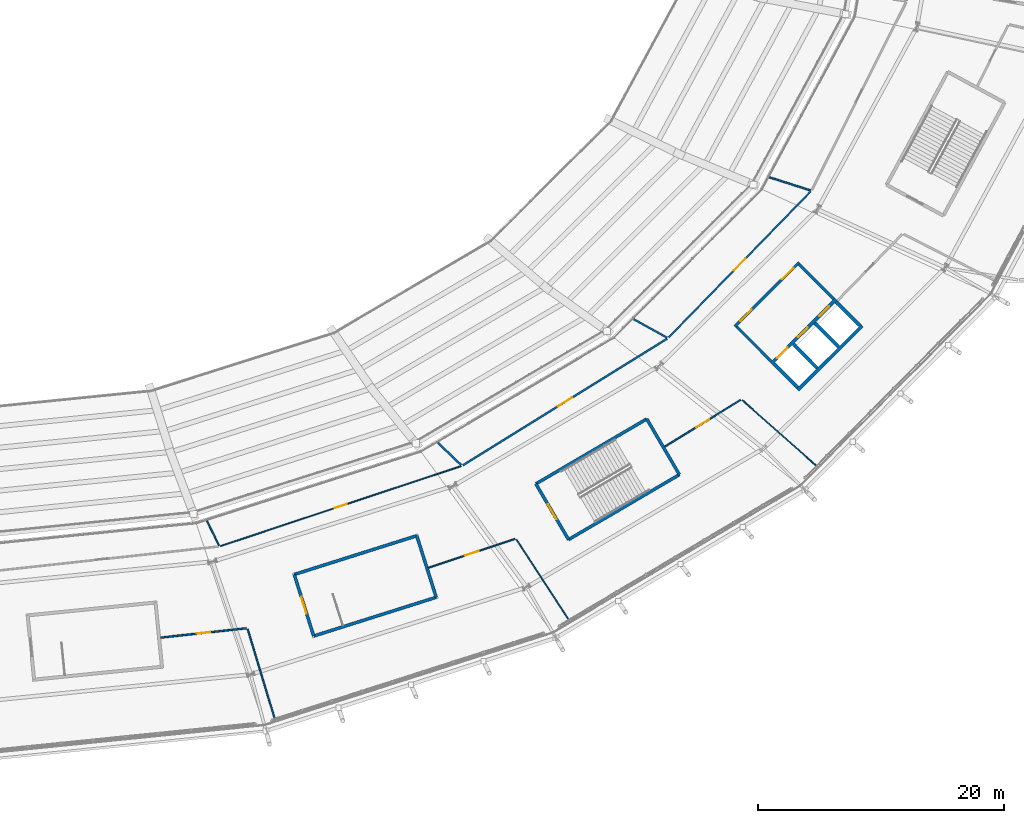
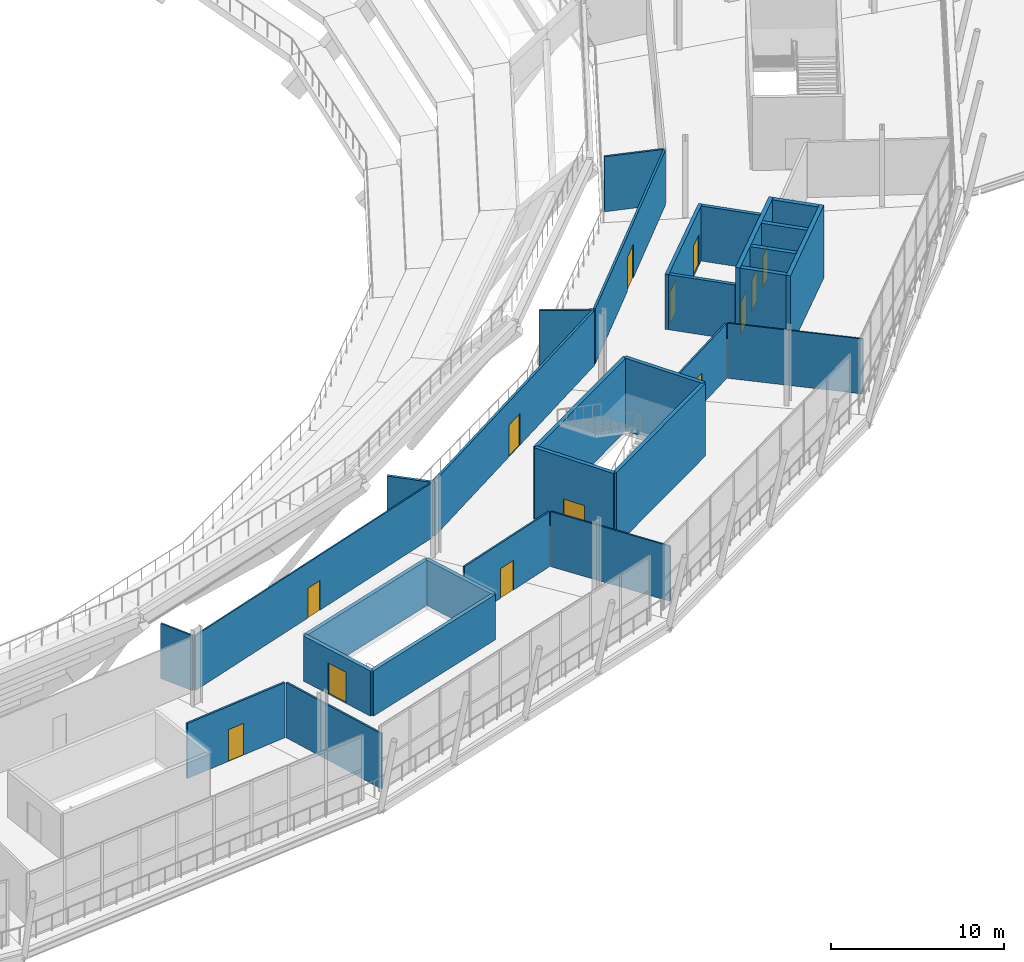
# One storey, part 99 of 126: 30 walls, 13 doors, 13 openings.
"""IFC4 building model written with IfcOpenShell, lengths in metres."""

from ifc_helpers import new_model, si_unit, direction, frame, frame_2d, origin, place, context, subcontext, project, spatial, rectangle, extrude, material, layer, layer_set, type_object, element, fill, save


model = new_model("IFC4")

# Units and contexts
model_context = context("Model", 3, precision=1e-05, world=origin(), true_north=direction((0.0, 1.0)))
body_context = subcontext(model_context, "Body", "Model", "MODEL_VIEW")
ifc_project = project(units=[si_unit("LENGTHUNIT", "METRE"), si_unit("AREAUNIT", "SQUARE_METRE"), si_unit("VOLUMEUNIT", "CUBIC_METRE"), si_unit("PLANEANGLEUNIT", "RADIAN"), si_unit("MASSUNIT", "GRAM", prefix="KILO")], contexts=[model_context])

# Site, building, storey
site_placement = place(None, origin())
site = spatial("IfcSite", under=ifc_project, at=site_placement, CompositionType="ELEMENT")
building_placement = place(site_placement, origin())
building = spatial("IfcBuilding", under=site, at=building_placement, Name="Zlatoyarsky Gate Stadium", CompositionType="ELEMENT")
storey_placement = place(building_placement, frame((0.0, 0.0, 20.800048828125)))
storey = spatial("IfcBuildingStorey", under=building, at=storey_placement, Name="L04", CompositionType="ELEMENT", Elevation=20.800048828125)

# Walls
ifc_material_1 = material(Name="Double-stud acoustic gypsum partition", Category="gypsum")
ifc_layer_1 = layer(ifc_material_1, 0.169921875)
ifc_layer_set_1 = layer_set([ifc_layer_1], Name="Double-stud acoustic gypsum partition")
wall_type_1 = type_object("IfcWallType", Name="ACOUSTIC BROADCAST STUDIO WALL 170", PredefinedType="PARTITIONING", material=ifc_layer_set_1)
wall_1_placement = place(storey_placement, frame((150.286376953125, 30.257080078125, 0.0), z_axis=(0.0, 0.0, 1.0), x_axis=(0.721945546678, -0.691949873641, 0.0)))
element("IfcWall", 1, at=wall_1_placement, inside=storey, type_object=wall_type_1, Name="L04 interior partition PRT-L04-IRD-20", PredefinedType="PARTITIONING", context=body_context, shape_type="SweptSolid", body=[
    extrude(rectangle(XDim=2.620849609375, YDim=0.169921875, at=frame_2d((1.310546875, 0.0))), origin(), (0.0, 0.0, 1.0), 3.889892578125),
])
ifc_material_2 = material(Name="Anodised aluminium acoustic operable wall", Category="aluminium")
ifc_layer_2 = layer(ifc_material_2, 0.114990234375)
ifc_layer_set_2 = layer_set([ifc_layer_2], Name="Anodised aluminium acoustic operable wall")
wall_type_2 = type_object("IfcWallType", Name="ACOUSTIC OPERABLE SUITE WALL 115", PredefinedType="MOVABLE", material=ifc_layer_set_2)
wall_2_placement = place(storey_placement, frame((131.5078125, 23.902587890625, 0.0), z_axis=(0.0, 0.0, 1.0), x_axis=(0.436389677302, -0.899757772706, 0.0)))
element("IfcWall", 2, at=wall_2_placement, inside=storey, type_object=wall_type_2, Name="L04 interior partition PRT-L04-IRD-19", PredefinedType="MOVABLE", context=body_context, shape_type="SweptSolid", body=[
    extrude(rectangle(XDim=2.217041015625, YDim=0.114990234375, at=frame_2d((1.1083984375, 0.0))), origin(), (0.0, 0.0, 1.0), 3.889892578125),
])

# Wall, opening, door
wall_3_placement = place(storey_placement, frame((168.740966796875, 29.944580078125, 0.0), z_axis=(0.0, 0.0, 1.0), x_axis=(0.850883722478, 0.525354062344, 0.0)))
wall_3 = element("IfcWall", 3, at=wall_3_placement, inside=storey, type_object=wall_type_2, Name="L04 interior partition PRT-L04-OCC-20-1", PredefinedType="MOVABLE", context=body_context, shape_type="SweptSolid", body=[
    extrude(rectangle(XDim=7.226806640625, YDim=0.114990234375, at=frame_2d((3.61328125, 0.0))), origin(), (0.0, 0.0, 1.0), 3.889892578125),
])
opening_1_placement = place(wall_3_placement, frame((2.993408203125, 0.0, 0.0)))
opening_1 = element("IfcOpeningElement", 4, at=opening_1_placement, cuts=wall_3, Name="Opening D-L04-598", PredefinedType="OPENING", context=body_context, shape_type="SweptSolid", body=[
    extrude(rectangle(XDim=1.239990234375, YDim=2.239990234375, at=frame_2d((0.6201171875, 1.1201171875))), frame((0.0, 0.0673828125, 0.0), z_axis=(0.0, -1.0, 0.0), x_axis=(1.0, 0.0, 0.0)), (0.0, 0.0, 1.0), 0.135009765625),
])
ifc_material_3 = material(Name="Solid-core oak veneer acoustic door", Category="wood")
door_type_1 = type_object("IfcDoorType", Name="ACOUSTIC INTERIOR DOOR 1240X2240", OperationType="NOTDEFINED", PredefinedType="DOOR", material=ifc_material_3)
door_1_placement = place(opening_1_placement, origin())
door_1 = element("IfcDoor", 5, at=door_1_placement, inside=storey, type_object=door_type_1, Name="L04 room door D-L04-598", OperationType="SINGLE_SWING_RIGHT", OverallHeight=2.239990234375, OverallWidth=1.239990234375, PredefinedType="DOOR", context=body_context, shape_type="SweptSolid", body=[
    extrude(rectangle(XDim=1.239990234375, YDim=2.239990234375, at=frame_2d((0.6201171875, 1.1201171875))), frame((0.0, 0.02490234375, 0.0), z_axis=(0.0, -1.0, 0.0), x_axis=(1.0, 0.0, 0.0)), (0.0, 0.0, 1.0), 0.050048828125),
])
fill(opening_1, door_1)

ifc_material_4 = material(Name="Moisture-resistant masonry partition", Category="masonry")
ifc_layer_3 = layer(ifc_material_4, 0.139892578125)
ifc_layer_set_3 = layer_set([ifc_layer_3], Name="Moisture-resistant masonry partition")
wall_type_3 = type_object("IfcWallType", Name="ATHLETE CHANGING BLOCK PARTITION 140", PredefinedType="PARTITIONING", material=ifc_layer_set_3)
wall_4_placement = place(storey_placement, frame((169.051513671875, 38.8271484375, 0.0), z_axis=(0.0, 0.0, 1.0), x_axis=(0.697325898105, 0.716754206009, 0.0)))
wall_4 = element("IfcWall", 6, at=wall_4_placement, inside=storey, type_object=wall_type_3, Name="L04 interior partition PRT-L04-ICC-21", PredefinedType="PARTITIONING", context=body_context, shape_type="SweptSolid", body=[
    extrude(rectangle(XDim=16.562255859375, YDim=0.139892578125, at=frame_2d((8.28125, 0.0))), origin(), (0.0, 0.0, 1.0), 3.889892578125),
])
opening_2_placement = place(wall_4_placement, frame((7.611083984375, 0.0, 0.0)))
opening_2 = element("IfcOpeningElement", 7, at=opening_2_placement, cuts=wall_4, Name="Opening D-L04-553", PredefinedType="OPENING", context=body_context, shape_type="SweptSolid", body=[
    extrude(rectangle(XDim=1.340087890625, YDim=2.3798828125, at=frame_2d((0.669921875, 1.18994140625))), frame((0.0, 0.079833984375, 0.0), z_axis=(0.0, -1.0, 0.0), x_axis=(1.0, 0.0, 0.0)), (0.0, 0.0, 1.0), 0.159912109375),
])
ifc_material_5 = material(Name="Powder-coated steel fire door", Category="steel")
door_type_2 = type_object("IfcDoorType", Name="ACOUSTIC INTERIOR DOOR 1340X2380", OperationType="NOTDEFINED", PredefinedType="DOOR", material=ifc_material_5)
door_2_placement = place(opening_2_placement, origin())
door_2 = element("IfcDoor", 8, at=door_2_placement, inside=storey, type_object=door_type_2, Name="L04 room door D-L04-553", OperationType="SINGLE_SWING_RIGHT", OverallHeight=2.3798828125, OverallWidth=1.340087890625, PredefinedType="DOOR", context=body_context, shape_type="SweptSolid", body=[
    extrude(rectangle(XDim=1.340087890625, YDim=2.3798828125, at=frame_2d((0.669921875, 1.18994140625))), frame((0.0, 0.02490234375, 0.0), z_axis=(0.0, -1.0, 0.0), x_axis=(1.0, 0.0, 0.0)), (0.0, 0.0, 1.0), 0.050048828125),
])
fill(opening_2, door_2)

# Walls
ifc_material_6 = material(Name="Metal-stud gypsum partition", Category="gypsum")
ifc_layer_4 = layer(ifc_material_6, 0.14990234375)
ifc_layer_set_4 = layer_set([ifc_layer_4], Name="Metal-stud gypsum partition")
wall_type_4 = type_object("IfcWallType", Name="CONCOURSE CORRIDOR PARTITION 150", PredefinedType="PARTITIONING", material=ifc_layer_set_4)
wall_5_placement = place(storey_placement, frame((166.212890625, 40.305908203125, 0.0), z_axis=(0.0, 0.0, 1.0), x_axis=(0.874726480767, -0.484616945478, 0.0)))
element("IfcWall", 9, at=wall_5_placement, inside=storey, type_object=wall_type_4, Name="L04 interior partition PRT-L04-IRD-21", PredefinedType="PARTITIONING", context=body_context, shape_type="SweptSolid", body=[
    extrude(rectangle(XDim=3.09228515625, YDim=0.14990234375, at=frame_2d((1.546142578125, 0.0))), origin(), (0.0, 0.0, 1.0), 3.889892578125),
])
ifc_material_7 = material(Name="Concrete C40/50", Category="concrete")
ifc_layer_5 = layer(ifc_material_7, 0.27001953125)
ifc_layer_set_5 = layer_set([ifc_layer_5], Name="Concrete C40/50")
wall_type_5 = type_object("IfcWallType", Name="CONCRETE LIFT SHAFT SHEAR WALL 270", PredefinedType="SHEAR", material=ifc_layer_set_5)
wall_6_placement = place(storey_placement, frame((179.547119140625, 34.556396484375, 0.0), z_axis=(0.0, 0.0, 1.0), x_axis=(0.708902567846, 0.705306422274, 0.0)))
element("IfcWall", 10, at=wall_6_placement, inside=storey, type_object=wall_type_5, Name="C4 L04 lift shaft rear wall", PredefinedType="SHEAR", context=body_context, shape_type="SweptSolid", body=[
    extrude(rectangle(XDim=7.39990234375, YDim=0.27001953125, at=frame_2d((3.699951171875, 0.0))), origin(), (0.0, 0.0, 1.0), 5.139892578125),
])
for number, where, z_axis, x_axis, name in (
    (11, (179.54052734375, 34.75439453125, 0.0), (0.0, 0.0, 1.0), (-0.705322518225, 0.708886553183, 0.0), "C4 L04 lift shaft left wall"),
    (12, (184.594970703125, 39.783203125, 0.0), (0.0, 0.0, 1.0), (-0.705322518225, 0.708886553183, 0.0), "C4 L04 lift shaft right wall"),
    (13, (181.12841796875, 36.334228515625, 0.0), (0.0, 0.0, 1.0), (-0.705322518225, 0.708886553183, 0.0), "C4 L04 lift shaft divider 1"),
    (14, (182.865234375, 38.062255859375, 0.0), (0.0, 0.0, 1.0), (-0.705322518225, 0.708886553183, 0.0), "C4 L04 lift shaft divider 2"),
):
    element("IfcWall", number, at=place(storey_placement, frame(where, z_axis=z_axis, x_axis=x_axis)), inside=storey, type_object=wall_type_5, Name=name, PredefinedType="SHEAR", context=body_context, shape_type="SweptSolid", body=[
        extrude(rectangle(XDim=2.739990234375, YDim=0.27001953125, at=frame_2d((1.3701171875, 0.0))), origin(), (0.0, 0.0, 1.0), 5.139892578125),
    ])

# Wall, openings, doors
wall_7_placement = place(storey_placement, frame((177.409912109375, 36.704345703125, 0.0), z_axis=(0.0, 0.0, 1.0), x_axis=(0.708918979457, 0.705289926602, 0.0)))
wall_7 = element("IfcWall", 15, at=wall_7_placement, inside=storey, type_object=wall_type_5, Name="C4 L04 lift landing front wall", PredefinedType="SHEAR", context=body_context, shape_type="SweptSolid", body=[
    extrude(rectangle(XDim=7.400146484375, YDim=0.27001953125, at=frame_2d((3.7001953125, 0.0))), origin(), (0.0, 0.0, 1.0), 5.139892578125),
])
opening_3_placement = place(wall_7_placement, frame((0.64990234375, 0.0, 0.0)))
opening_3 = element("IfcOpeningElement", 16, at=opening_3_placement, cuts=wall_7, Name="Opening LD-FL-04-L04", PredefinedType="OPENING", context=body_context, shape_type="SweptSolid", body=[
    extrude(rectangle(XDim=1.199951171875, YDim=2.25, at=frame_2d((0.60009765625, 1.125))), frame((0.0, 0.14501953125, 0.0), z_axis=(0.0, -1.0, 0.0), x_axis=(1.0, 0.0, 0.0)), (0.0, 0.0, 1.0), 0.2900390625),
])
opening_4_placement = place(wall_7_placement, frame((3.050048828125, 0.0, 0.0)))
opening_4 = element("IfcOpeningElement", 17, at=opening_4_placement, cuts=wall_7, Name="Opening LD-LF-07-L04", PredefinedType="OPENING", context=body_context, shape_type="SweptSolid", body=[
    extrude(rectangle(XDim=1.10009765625, YDim=2.199951171875, at=frame_2d((0.550048828125, 1.10009765625))), frame((0.0, 0.14501953125, 0.0), z_axis=(0.0, -1.0, 0.0), x_axis=(1.0, 0.0, 0.0)), (0.0, 0.0, 1.0), 0.2900390625),
])
opening_5_placement = place(wall_7_placement, frame((5.5, 0.0, 0.0)))
opening_5 = element("IfcOpeningElement", 18, at=opening_5_placement, cuts=wall_7, Name="Opening LD-LF-08-L04", PredefinedType="OPENING", context=body_context, shape_type="SweptSolid", body=[
    extrude(rectangle(XDim=1.10009765625, YDim=2.199951171875, at=frame_2d((0.550048828125, 1.10009765625))), frame((0.0, 0.14501953125, 0.0), z_axis=(0.0, -1.0, 0.0), x_axis=(1.0, 0.0, 0.0)), (0.0, 0.0, 1.0), 0.2900390625),
])
door_type_3 = type_object("IfcDoorType", Name="STAINLESS LIFT LANDING SLIDING DOOR 1100X2200", OperationType="DOUBLE_DOOR_SLIDING", PredefinedType="DOOR", material=ifc_material_5)
door_3_placement = place(opening_4_placement, origin())
door_3 = element("IfcDoor", 19, at=door_3_placement, inside=storey, type_object=door_type_3, Name="Lift LF-07 L04 sliding landing door", OperationType="DOUBLE_DOOR_SLIDING", OverallHeight=2.199951171875, OverallWidth=1.10009765625, PredefinedType="DOOR", context=body_context, shape_type="SweptSolid", body=[
    extrude(rectangle(XDim=1.10009765625, YDim=2.199951171875, at=frame_2d((0.550048828125, 1.10009765625))), frame((0.0, 0.02490234375, 0.0), z_axis=(0.0, -1.0, 0.0), x_axis=(1.0, 0.0, 0.0)), (0.0, 0.0, 1.0), 0.050048828125),
])
fill(opening_4, door_3)
door_4_placement = place(opening_5_placement, origin())
door_4 = element("IfcDoor", 20, at=door_4_placement, inside=storey, type_object=door_type_3, Name="Lift LF-08 L04 sliding landing door", OperationType="DOUBLE_DOOR_SLIDING", OverallHeight=2.199951171875, OverallWidth=1.10009765625, PredefinedType="DOOR", context=body_context, shape_type="SweptSolid", body=[
    extrude(rectangle(XDim=1.10009765625, YDim=2.199951171875, at=frame_2d((0.550048828125, 1.10009765625))), frame((0.0, 0.02490234375, 0.0), z_axis=(0.0, -1.0, 0.0), x_axis=(1.0, 0.0, 0.0)), (0.0, 0.0, 1.0), 0.050048828125),
])
fill(opening_5, door_4)
door_type_4 = type_object("IfcDoorType", Name="STAINLESS LIFT LANDING SLIDING DOOR 1200X2250", OperationType="DOUBLE_DOOR_SLIDING", PredefinedType="DOOR", material=ifc_material_5)
door_5_placement = place(opening_3_placement, origin())
door_5 = element("IfcDoor", 21, at=door_5_placement, inside=storey, type_object=door_type_4, Name="Lift FL-04 L04 sliding landing door", OperationType="DOUBLE_DOOR_SLIDING", OverallHeight=2.25, OverallWidth=1.199951171875, PredefinedType="DOOR", context=body_context, shape_type="SweptSolid", body=[
    extrude(rectangle(XDim=1.199951171875, YDim=2.25, at=frame_2d((0.60009765625, 1.125))), frame((0.0, 0.02490234375, 0.0), z_axis=(0.0, -1.0, 0.0), x_axis=(1.0, 0.0, 0.0)), (0.0, 0.0, 1.0), 0.050048828125),
])
fill(opening_3, door_5)

# Wall, opening, door
ifc_layer_6 = layer(ifc_material_7, 0.25)
ifc_layer_set_6 = layer_set([ifc_layer_6], Name="Concrete C40/50")
wall_type_6 = type_object("IfcWallType", Name="CONCRETE STAIR CORE SHEAR WALL 250", PredefinedType="SHEAR", material=ifc_layer_set_6)
wall_8_placement = place(storey_placement, frame((158.25341796875, 26.916015625, 0.0), z_axis=(0.0, 0.0, 1.0), x_axis=(0.505460490551, -0.862849750821, 0.0)))
wall_8 = element("IfcWall", 22, at=wall_8_placement, inside=storey, type_object=wall_type_6, Name="ST-11 L04 stair core entrance shear wall", PredefinedType="SHEAR", context=body_context, shape_type="SweptSolid", body=[
    extrude(rectangle(XDim=5.249755859375, YDim=0.25, at=frame_2d((2.625, 0.0))), origin(), (0.0, 0.0, 1.0), 5.139892578125),
])
opening_6_placement = place(wall_8_placement, frame((1.925048828125, 0.0, 0.0)))
opening_6 = element("IfcOpeningElement", 23, at=opening_6_placement, cuts=wall_8, Name="Opening SD-ST-11-L04", PredefinedType="OPENING", context=body_context, shape_type="SweptSolid", body=[
    extrude(rectangle(XDim=1.39990234375, YDim=2.199951171875, at=frame_2d((0.699951171875, 1.10009765625))), frame((0.0, 0.135009765625, 0.0), z_axis=(0.0, -1.0, 0.0), x_axis=(1.0, 0.0, 0.0)), (0.0, 0.0, 1.0), 0.27001953125),
])
door_type_5 = type_object("IfcDoorType", Name="STAIR CORE FIRE EXIT DOOR 1400X2200", OperationType="NOTDEFINED", PredefinedType="DOOR", material=ifc_material_5)
door_6_placement = place(opening_6_placement, frame((1.39990234375, 0.0, 0.0), z_axis=(0.0, 0.0, 1.0), x_axis=(-1.0, 0.0, 0.0)))
door_6 = element("IfcDoor", 24, at=door_6_placement, inside=storey, type_object=door_type_5, Name="ST-11 L04 stair fire door", OperationType="SINGLE_SWING_RIGHT", OverallHeight=2.199951171875, OverallWidth=1.39990234375, PredefinedType="DOOR", context=body_context, shape_type="SweptSolid", body=[
    extrude(rectangle(XDim=1.39990234375, YDim=2.199951171875, at=frame_2d((0.699951171875, 1.10009765625))), frame((0.0, 0.02490234375, 0.0), z_axis=(0.0, -1.0, 0.0), x_axis=(1.0, 0.0, 0.0)), (0.0, 0.0, 1.0), 0.050048828125),
])
fill(opening_6, door_6)

# Walls
wall_9_placement = place(storey_placement, frame((160.906982421875, 22.38623046875, 0.0), z_axis=(0.0, 0.0, 1.0), x_axis=(0.862854686184, 0.505452065513, 0.0)))
element("IfcWall", 25, at=wall_9_placement, inside=storey, type_object=wall_type_6, Name="ST-11 L04 stair core left shear wall", PredefinedType="SHEAR", context=body_context, shape_type="SweptSolid", body=[
    extrude(rectangle(XDim=10.449951171875, YDim=0.25, at=frame_2d((5.22509765625, 0.0))), origin(), (0.0, 0.0, 1.0), 5.139892578125),
])
wall_10_placement = place(storey_placement, frame((169.923828125, 27.668212890625, 0.0), z_axis=(0.0, 0.0, 1.0), x_axis=(-0.505474830399, 0.862841350327, 0.0)))
element("IfcWall", 26, at=wall_10_placement, inside=storey, type_object=wall_type_6, Name="ST-11 L04 stair core far shear wall", PredefinedType="SHEAR", context=body_context, shape_type="SweptSolid", body=[
    extrude(rectangle(XDim=5.250244140625, YDim=0.25, at=frame_2d((2.625, 0.0))), origin(), (0.0, 0.0, 1.0), 5.139892578125),
])
wall_11_placement = place(storey_placement, frame((167.27001953125, 32.1982421875, 0.0), z_axis=(0.0, 0.0, 1.0), x_axis=(-0.862838527648, -0.505479648657, 0.0)))
element("IfcWall", 27, at=wall_11_placement, inside=storey, type_object=wall_type_6, Name="ST-11 L04 stair core right shear wall", PredefinedType="SHEAR", context=body_context, shape_type="SweptSolid", body=[
    extrude(rectangle(XDim=10.449951171875, YDim=0.25, at=frame_2d((5.22509765625, 0.0))), origin(), (0.0, 0.0, 1.0), 5.139892578125),
])

# Wall, opening, door
wall_12_placement = place(storey_placement, frame((138.599609375, 19.5478515625, 0.0), z_axis=(0.0, 0.0, 1.0), x_axis=(0.30152749866, -0.953457480726, 0.0)))
wall_12 = element("IfcWall", 28, at=wall_12_placement, inside=storey, type_object=wall_type_6, Name="ST-16 L04 stair core entrance shear wall", PredefinedType="SHEAR", context=body_context, shape_type="SweptSolid", body=[
    extrude(rectangle(XDim=5.25, YDim=0.25, at=frame_2d((2.625, 0.0))), origin(), (0.0, 0.0, 1.0), 3.199951171875),
])
opening_7_placement = place(wall_12_placement, frame((1.925048828125, 0.0, 0.0)))
opening_7 = element("IfcOpeningElement", 29, at=opening_7_placement, cuts=wall_12, Name="Opening SD-ST-16-L04", PredefinedType="OPENING", context=body_context, shape_type="SweptSolid", body=[
    extrude(rectangle(XDim=1.39990234375, YDim=2.199951171875, at=frame_2d((0.699951171875, 1.10009765625))), frame((0.0, 0.135009765625, 0.0), z_axis=(0.0, -1.0, 0.0), x_axis=(1.0, 0.0, 0.0)), (0.0, 0.0, 1.0), 0.27001953125),
])
door_7_placement = place(opening_7_placement, frame((1.39990234375, 0.0, 0.0), z_axis=(0.0, 0.0, 1.0), x_axis=(-1.0, 0.0, 0.0)))
door_7 = element("IfcDoor", 30, at=door_7_placement, inside=storey, type_object=door_type_5, Name="ST-16 L04 stair fire door", OperationType="SINGLE_SWING_RIGHT", OverallHeight=2.199951171875, OverallWidth=1.39990234375, PredefinedType="DOOR", context=body_context, shape_type="SweptSolid", body=[
    extrude(rectangle(XDim=1.39990234375, YDim=2.199951171875, at=frame_2d((0.699951171875, 1.10009765625))), frame((0.0, 0.02490234375, 0.0), z_axis=(0.0, -1.0, 0.0), x_axis=(1.0, 0.0, 0.0)), (0.0, 0.0, 1.0), 0.050048828125),
])
fill(opening_7, door_7)

# Walls
wall_13_placement = place(storey_placement, frame((140.1826171875, 14.542236328125, 0.0), z_axis=(0.0, 0.0, 1.0), x_axis=(0.953459710305, 0.301520448438, 0.0)))
element("IfcWall", 31, at=wall_13_placement, inside=storey, type_object=wall_type_6, Name="ST-16 L04 stair core left shear wall", PredefinedType="SHEAR", context=body_context, shape_type="SweptSolid", body=[
    extrude(rectangle(XDim=10.449951171875, YDim=0.25, at=frame_2d((5.22509765625, 0.0))), origin(), (0.0, 0.0, 1.0), 3.199951171875),
])
wall_14_placement = place(storey_placement, frame((150.146240234375, 17.693115234375, 0.0), z_axis=(0.0, 0.0, 1.0), x_axis=(-0.30152749866, 0.953457480726, 0.0)))
element("IfcWall", 32, at=wall_14_placement, inside=storey, type_object=wall_type_6, Name="ST-16 L04 stair core far shear wall", PredefinedType="SHEAR", context=body_context, shape_type="SweptSolid", body=[
    extrude(rectangle(XDim=5.25, YDim=0.25, at=frame_2d((2.625, 0.0))), origin(), (0.0, 0.0, 1.0), 3.199951171875),
])
wall_15_placement = place(storey_placement, frame((148.563232421875, 22.69873046875, 0.0), z_axis=(0.0, 0.0, 1.0), x_axis=(-0.953459710305, -0.301520448438, 0.0)))
element("IfcWall", 33, at=wall_15_placement, inside=storey, type_object=wall_type_6, Name="ST-16 L04 stair core right shear wall", PredefinedType="SHEAR", context=body_context, shape_type="SweptSolid", body=[
    extrude(rectangle(XDim=10.449951171875, YDim=0.25, at=frame_2d((5.22509765625, 0.0))), origin(), (0.0, 0.0, 1.0), 3.199951171875),
])
ifc_material_8 = material(Name="Autoclaved aerated concrete masonry EI 120", Category="masonry")
ifc_layer_7 = layer(ifc_material_8, 0.219970703125)
ifc_layer_set_7 = layer_set([ifc_layer_7], Name="Autoclaved aerated concrete masonry EI 120")
wall_type_7 = type_object("IfcWallType", Name="FIREFIGHTING LOBBY RATED WALL 220", PredefinedType="PARTITIONING", material=ifc_layer_set_7)
for number, where, z_axis, x_axis, name in (
    (34, (177.378662109375, 36.8916015625, 0.0), (0.0, 0.0, 1.0), (-0.705294916294, 0.708914015273, 0.0), "C4 L04 firefighting lobby left wall"),
    (35, (182.468505859375, 41.955810546875, 0.0), (0.0, 0.0, 1.0), (-0.705294916294, 0.708914015273, 0.0), "C4 L04 firefighting lobby right wall"),
):
    element("IfcWall", number, at=place(storey_placement, frame(where, z_axis=z_axis, x_axis=x_axis)), inside=storey, type_object=wall_type_7, Name=name, PredefinedType="PARTITIONING", context=body_context, shape_type="SweptSolid", body=[
        extrude(rectangle(XDim=3.97998046875, YDim=0.219970703125, at=frame_2d((1.989990234375, 0.0))), origin(), (0.0, 0.0, 1.0), 3.889892578125),
    ])

# Wall, openings, doors
wall_16_placement = place(storey_placement, frame((174.416015625, 39.713623046875, 0.0), z_axis=(0.0, 0.0, 1.0), x_axis=(0.708902567846, 0.705306422274, 0.0)))
wall_16 = element("IfcWall", 36, at=wall_16_placement, inside=storey, type_object=wall_type_7, Name="C4 L04 firefighting lobby front wall", PredefinedType="PARTITIONING", context=body_context, shape_type="SweptSolid", body=[
    extrude(rectangle(XDim=7.39990234375, YDim=0.219970703125, at=frame_2d((3.699951171875, 0.0))), origin(), (0.0, 0.0, 1.0), 3.889892578125),
])
opening_8_placement = place(wall_16_placement, frame((0.64990234375, 0.0, 0.0)))
opening_8 = element("IfcOpeningElement", 37, at=opening_8_placement, cuts=wall_16, Name="Opening FD-C4-L04-A", PredefinedType="OPENING", context=body_context, shape_type="SweptSolid", body=[
    extrude(rectangle(XDim=1.300048828125, YDim=2.199951171875, at=frame_2d((0.64990234375, 1.10009765625))), frame((0.0, 0.119873046875, 0.0), z_axis=(0.0, -1.0, 0.0), x_axis=(1.0, 0.0, 0.0)), (0.0, 0.0, 1.0), 0.239990234375),
])
opening_9_placement = place(wall_16_placement, frame((5.449951171875, 0.0, 0.0)))
opening_9 = element("IfcOpeningElement", 38, at=opening_9_placement, cuts=wall_16, Name="Opening FD-C4-L04-B", PredefinedType="OPENING", context=body_context, shape_type="SweptSolid", body=[
    extrude(rectangle(XDim=1.300048828125, YDim=2.199951171875, at=frame_2d((0.64990234375, 1.10009765625))), frame((0.0, 0.119873046875, 0.0), z_axis=(0.0, -1.0, 0.0), x_axis=(1.0, 0.0, 0.0)), (0.0, 0.0, 1.0), 0.239990234375),
])
door_type_6 = type_object("IfcDoorType", Name="FIREFIGHTING LOBBY FIRE DOOR 1300X2200", OperationType="NOTDEFINED", PredefinedType="DOOR", material=ifc_material_5)
door_8_placement = place(opening_8_placement, origin())
door_8 = element("IfcDoor", 39, at=door_8_placement, inside=storey, type_object=door_type_6, Name="C4 L04 firefighting lobby fire door FD-C4-L04-A", OperationType="SINGLE_SWING_LEFT", OverallHeight=2.199951171875, OverallWidth=1.300048828125, PredefinedType="DOOR", context=body_context, shape_type="SweptSolid", body=[
    extrude(rectangle(XDim=1.300048828125, YDim=2.199951171875, at=frame_2d((0.64990234375, 1.10009765625))), frame((0.0, 0.02490234375, 0.0), z_axis=(0.0, -1.0, 0.0), x_axis=(1.0, 0.0, 0.0)), (0.0, 0.0, 1.0), 0.050048828125),
])
fill(opening_8, door_8)
door_9_placement = place(opening_9_placement, origin())
door_9 = element("IfcDoor", 40, at=door_9_placement, inside=storey, type_object=door_type_6, Name="C4 L04 firefighting lobby fire door FD-C4-L04-B", OperationType="SINGLE_SWING_RIGHT", OverallHeight=2.199951171875, OverallWidth=1.300048828125, PredefinedType="DOOR", context=body_context, shape_type="SweptSolid", body=[
    extrude(rectangle(XDim=1.300048828125, YDim=2.199951171875, at=frame_2d((0.64990234375, 1.10009765625))), frame((0.0, 0.02490234375, 0.0), z_axis=(0.0, -1.0, 0.0), x_axis=(1.0, 0.0, 0.0)), (0.0, 0.0, 1.0), 0.050048828125),
])
fill(opening_9, door_9)

# Wall, opening, door
ifc_material_9 = material(Name="Timber-veneered acoustic operable partition", Category="wood")
ifc_layer_8 = layer(ifc_material_9, 0.094970703125)
ifc_layer_set_8 = layer_set([ifc_layer_8], Name="Timber-veneered acoustic operable partition")
wall_type_8 = type_object("IfcWallType", Name="FOLDING BANQUET SALON WALL 95", PredefinedType="MOVABLE", material=ifc_layer_set_8)
wall_17_placement = place(storey_placement, frame((132.59326171875, 21.85791015625, 0.0), z_axis=(0.0, 0.0, 1.0), x_axis=(0.948998991107, 0.315279106314, 0.0)))
wall_17 = element("IfcWall", 41, at=wall_17_placement, inside=storey, type_object=wall_type_8, Name="L04 interior partition PRT-L04-ICC-19", PredefinedType="MOVABLE", context=body_context, shape_type="SweptSolid", body=[
    extrude(rectangle(XDim=20.617431640625, YDim=0.094970703125, at=frame_2d((10.30859375, 0.0))), origin(), (0.0, 0.0, 1.0), 3.889892578125),
])
opening_10_placement = place(wall_17_placement, frame((9.798583984375, 0.0, 0.0)))
opening_10 = element("IfcOpeningElement", 42, at=opening_10_placement, cuts=wall_17, Name="Opening D-L04-549", PredefinedType="OPENING", context=body_context, shape_type="SweptSolid", body=[
    extrude(rectangle(XDim=1.02001953125, YDim=2.10009765625, at=frame_2d((0.510009765625, 1.050048828125))), frame((0.0, 0.057373046875, 0.0), z_axis=(0.0, -1.0, 0.0), x_axis=(1.0, 0.0, 0.0)), (0.0, 0.0, 1.0), 0.114990234375),
])
door_type_7 = type_object("IfcDoorType", Name="ACOUSTIC INTERIOR DOOR 1020X2100", OperationType="NOTDEFINED", PredefinedType="DOOR", material=ifc_material_3)
door_10_placement = place(opening_10_placement, origin())
door_10 = element("IfcDoor", 43, at=door_10_placement, inside=storey, type_object=door_type_7, Name="L04 room door D-L04-549", OperationType="SINGLE_SWING_RIGHT", OverallHeight=2.10009765625, OverallWidth=1.02001953125, PredefinedType="DOOR", context=body_context, shape_type="SweptSolid", body=[
    extrude(rectangle(XDim=1.02001953125, YDim=2.10009765625, at=frame_2d((0.510009765625, 1.050048828125))), frame((0.0, 0.02490234375, 0.0), z_axis=(0.0, -1.0, 0.0), x_axis=(1.0, 0.0, 0.0)), (0.0, 0.0, 1.0), 0.050048828125),
])
fill(opening_10, door_10)

# Wall
wall_18_placement = place(storey_placement, frame((175.026123046875, 33.7294921875, 0.0), z_axis=(0.0, 0.0, 1.0), x_axis=(0.749053641694, -0.662509352285, 0.0)))
element("IfcWall", 44, at=wall_18_placement, inside=storey, type_object=wall_type_8, Name="L04 interior partition PRT-L04-ORD-20R", PredefinedType="MOVABLE", context=body_context, shape_type="SweptSolid", body=[
    extrude(rectangle(XDim=8.000244140625, YDim=0.094970703125, at=frame_2d((4.0, 0.0))), origin(), (0.0, 0.0, 1.0), 3.889892578125),
])

# Wall, opening, door
ifc_material_10 = material(Name="Acoustic metal-stud gypsum partition", Category="gypsum")
ifc_layer_9 = layer(ifc_material_10, 0.159912109375)
ifc_layer_set_9 = layer_set([ifc_layer_9], Name="Acoustic metal-stud gypsum partition")
wall_type_9 = type_object("IfcWallType", Name="HOSPITALITY SUITE PARTITION 160", PredefinedType="PARTITIONING", material=ifc_layer_set_9)
wall_19_placement = place(storey_placement, frame((152.31201171875, 28.4296875, 0.0), z_axis=(0.0, 0.0, 1.0), x_axis=(0.85002085977, 0.526749027484, 0.0)))
wall_19 = element("IfcWall", 45, at=wall_19_placement, inside=storey, type_object=wall_type_9, Name="L04 vomitory portal wall PRT-L04-ICC-20", PredefinedType="PARTITIONING", context=body_context, shape_type="SweptSolid", body=[
    extrude(rectangle(XDim=19.538330078125, YDim=0.159912109375, at=frame_2d((9.76904296875, 0.0))), origin(), (0.0, 0.0, 1.0), 3.889892578125),
])
opening_11_placement = place(wall_19_placement, frame((9.09912109375, 0.0, 0.0)))
opening_11 = element("IfcOpeningElement", 46, at=opening_11_placement, cuts=wall_19, Name="Opening D-L04-551", PredefinedType="OPENING", context=body_context, shape_type="SweptSolid", body=[
    extrude(rectangle(XDim=1.340087890625, YDim=2.239990234375, at=frame_2d((0.669921875, 1.1201171875))), frame((0.0, 0.08984375, 0.0), z_axis=(0.0, -1.0, 0.0), x_axis=(1.0, 0.0, 0.0)), (0.0, 0.0, 1.0), 0.179931640625),
])
door_type_8 = type_object("IfcDoorType", Name="ACOUSTIC INTERIOR DOOR 1340X2240", OperationType="NOTDEFINED", PredefinedType="DOOR", material=ifc_material_5)
door_11_placement = place(opening_11_placement, origin())
door_11 = element("IfcDoor", 47, at=door_11_placement, inside=storey, type_object=door_type_8, Name="L04 vomitory portal door D-L04-551", OperationType="SINGLE_SWING_LEFT", OverallHeight=2.239990234375, OverallWidth=1.340087890625, PredefinedType="DOOR", context=body_context, shape_type="SweptSolid", body=[
    extrude(rectangle(XDim=1.340087890625, YDim=2.239990234375, at=frame_2d((0.669921875, 1.1201171875))), frame((0.0, 0.02490234375, 0.0), z_axis=(0.0, -1.0, 0.0), x_axis=(1.0, 0.0, 0.0)), (0.0, 0.0, 1.0), 0.050048828125),
])
fill(opening_11, door_11)

ifc_layer_10 = layer(ifc_material_6, 0.110107421875)
ifc_layer_set_10 = layer_set([ifc_layer_10], Name="Metal-stud gypsum partition")
wall_type_10 = type_object("IfcWallType", Name="KIOSK SERVICE PARTITION 110", PredefinedType="PARTITIONING", material=ifc_layer_set_10)
wall_20_placement = place(storey_placement, frame((149.522705078125, 20.095703125, 0.0), z_axis=(0.0, 0.0, 1.0), x_axis=(0.948673401139, 0.316257455203, 0.0)))
wall_20 = element("IfcWall", 48, at=wall_20_placement, inside=storey, type_object=wall_type_10, Name="L04 interior partition PRT-L04-OCC-19-1", PredefinedType="PARTITIONING", context=body_context, shape_type="SweptSolid", body=[
    extrude(rectangle(XDim=7.40087890625, YDim=0.110107421875, at=frame_2d((3.700439453125, 0.0))), origin(), (0.0, 0.0, 1.0), 3.889892578125),
])
opening_12_placement = place(wall_20_placement, frame((3.120361328125, 0.0, 0.0)))
opening_12 = element("IfcOpeningElement", 49, at=opening_12_placement, cuts=wall_20, Name="Opening D-L04-596", PredefinedType="OPENING", context=body_context, shape_type="SweptSolid", body=[
    extrude(rectangle(XDim=1.159912109375, YDim=2.10009765625, at=frame_2d((0.580078125, 1.050048828125))), frame((0.0, 0.06494140625, 0.0), z_axis=(0.0, -1.0, 0.0), x_axis=(1.0, 0.0, 0.0)), (0.0, 0.0, 1.0), 0.130126953125),
])
door_type_9 = type_object("IfcDoorType", Name="ACOUSTIC INTERIOR DOOR 1160X2100", OperationType="NOTDEFINED", PredefinedType="DOOR", material=ifc_material_3)
door_12_placement = place(opening_12_placement, origin())
door_12 = element("IfcDoor", 50, at=door_12_placement, inside=storey, type_object=door_type_9, Name="L04 room door D-L04-596", OperationType="SINGLE_SWING_LEFT", OverallHeight=2.10009765625, OverallWidth=1.159912109375, PredefinedType="DOOR", context=body_context, shape_type="SweptSolid", body=[
    extrude(rectangle(XDim=1.159912109375, YDim=2.10009765625, at=frame_2d((0.580078125, 1.050048828125))), frame((0.0, 0.02490234375, 0.0), z_axis=(0.0, -1.0, 0.0), x_axis=(1.0, 0.0, 0.0)), (0.0, 0.0, 1.0), 0.050048828125),
])
fill(opening_12, door_12)

# Walls
ifc_layer_11 = layer(ifc_material_6, 0.10009765625)
ifc_layer_set_11 = layer_set([ifc_layer_11], Name="Metal-stud gypsum partition")
wall_type_11 = type_object("IfcWallType", Name="LIGHT STORAGE PARTITION 100", PredefinedType="PARTITIONING", material=ifc_layer_set_11)
wall_21_placement = place(storey_placement, frame((156.670654296875, 22.391845703125, 0.0), z_axis=(0.0, 0.0, 1.0), x_axis=(0.546569432333, -0.837413789975, 0.0)))
element("IfcWall", 51, at=wall_21_placement, inside=storey, type_object=wall_type_11, Name="L04 interior partition PRT-L04-ORD-19R", PredefinedType="PARTITIONING", context=body_context, shape_type="SweptSolid", body=[
    extrude(rectangle(XDim=7.751220703125, YDim=0.10009765625, at=frame_2d((3.87548828125, 0.0))), origin(), (0.0, 0.0, 1.0), 3.889892578125),
])
ifc_layer_12 = layer(ifc_material_6, 0.1201171875)
ifc_layer_set_12 = layer_set([ifc_layer_12], Name="Metal-stud gypsum partition")
wall_type_12 = type_object("IfcWallType", Name="OFFICE AND PRESS PARTITION 120", PredefinedType="PARTITIONING", material=ifc_layer_set_12)
wall_22_placement = place(storey_placement, frame((134.81005859375, 15.101318359375, 0.0), z_axis=(0.0, 0.0, 1.0), x_axis=(0.289904410336, -0.957055605943, 0.0)))
element("IfcWall", 52, at=wall_22_placement, inside=storey, type_object=wall_type_12, Name="L04 interior partition PRT-L04-ORD-18R", PredefinedType="PARTITIONING", context=body_context, shape_type="SweptSolid", body=[
    extrude(rectangle(XDim=7.566650390625, YDim=0.1201171875, at=frame_2d((3.783203125, 0.0))), origin(), (0.0, 0.0, 1.0), 3.889892578125),
])
ifc_material_11 = material(Name="Moisture-resistant tile-backed partition", Category="gypsum")
ifc_layer_13 = layer(ifc_material_11, 0.1298828125)
ifc_layer_set_13 = layer_set([ifc_layer_13], Name="Moisture-resistant tile-backed partition")
wall_type_13 = type_object("IfcWallType", Name="SANITARY WET ROOM PARTITION 130", PredefinedType="PARTITIONING", material=ifc_layer_set_13)
wall_23_placement = place(storey_placement, frame((177.253662109375, 51.8466796875, 0.0), z_axis=(0.0, 0.0, 1.0), x_axis=(0.952621275396, -0.30415901378, 0.0)))
element("IfcWall", 53, at=wall_23_placement, inside=storey, type_object=wall_type_13, Name="L04 interior partition PRT-L04-IRD-22", PredefinedType="PARTITIONING", context=body_context, shape_type="SweptSolid", body=[
    extrude(rectangle(XDim=3.49072265625, YDim=0.1298828125, at=frame_2d((1.745361328125, 0.0))), origin(), (0.0, 0.0, 1.0), 3.889892578125),
])

# Wall, opening, door
wall_24_placement = place(storey_placement, frame((127.736572265625, 14.413818359375, 0.0), z_axis=(0.0, 0.0, 1.0), x_axis=(0.994101903369, 0.108450014839, 0.0)))
wall_24 = element("IfcWall", 54, at=wall_24_placement, inside=storey, type_object=wall_type_13, Name="L04 interior partition PRT-L04-OCC-18-1", PredefinedType="PARTITIONING", context=body_context, shape_type="SweptSolid", body=[
    extrude(rectangle(XDim=7.005615234375, YDim=0.1298828125, at=frame_2d((3.5029296875, 0.0))), origin(), (0.0, 0.0, 1.0), 3.889892578125),
])
opening_13_placement = place(wall_24_placement, frame((2.962890625, 0.0, 0.0)))
opening_13 = element("IfcOpeningElement", 55, at=opening_13_placement, cuts=wall_24, Name="Opening D-L04-594", PredefinedType="OPENING", context=body_context, shape_type="SweptSolid", body=[
    extrude(rectangle(XDim=1.080078125, YDim=2.239990234375, at=frame_2d((0.5400390625, 1.1201171875))), frame((0.0, 0.074951171875, 0.0), z_axis=(0.0, -1.0, 0.0), x_axis=(1.0, 0.0, 0.0)), (0.0, 0.0, 1.0), 0.14990234375),
])
door_type_10 = type_object("IfcDoorType", Name="ACOUSTIC INTERIOR DOOR 1080X2240", OperationType="NOTDEFINED", PredefinedType="DOOR", material=ifc_material_3)
door_13_placement = place(opening_13_placement, origin())
door_13 = element("IfcDoor", 56, at=door_13_placement, inside=storey, type_object=door_type_10, Name="L04 room door D-L04-594", OperationType="SINGLE_SWING_RIGHT", OverallHeight=2.239990234375, OverallWidth=1.080078125, PredefinedType="DOOR", context=body_context, shape_type="SweptSolid", body=[
    extrude(rectangle(XDim=1.080078125, YDim=2.239990234375, at=frame_2d((0.5400390625, 1.1201171875))), frame((0.0, 0.02490234375, 0.0), z_axis=(0.0, -1.0, 0.0), x_axis=(1.0, 0.0, 0.0)), (0.0, 0.0, 1.0), 0.050048828125),
])
fill(opening_13, door_13)

save(model, "model.ifc")
